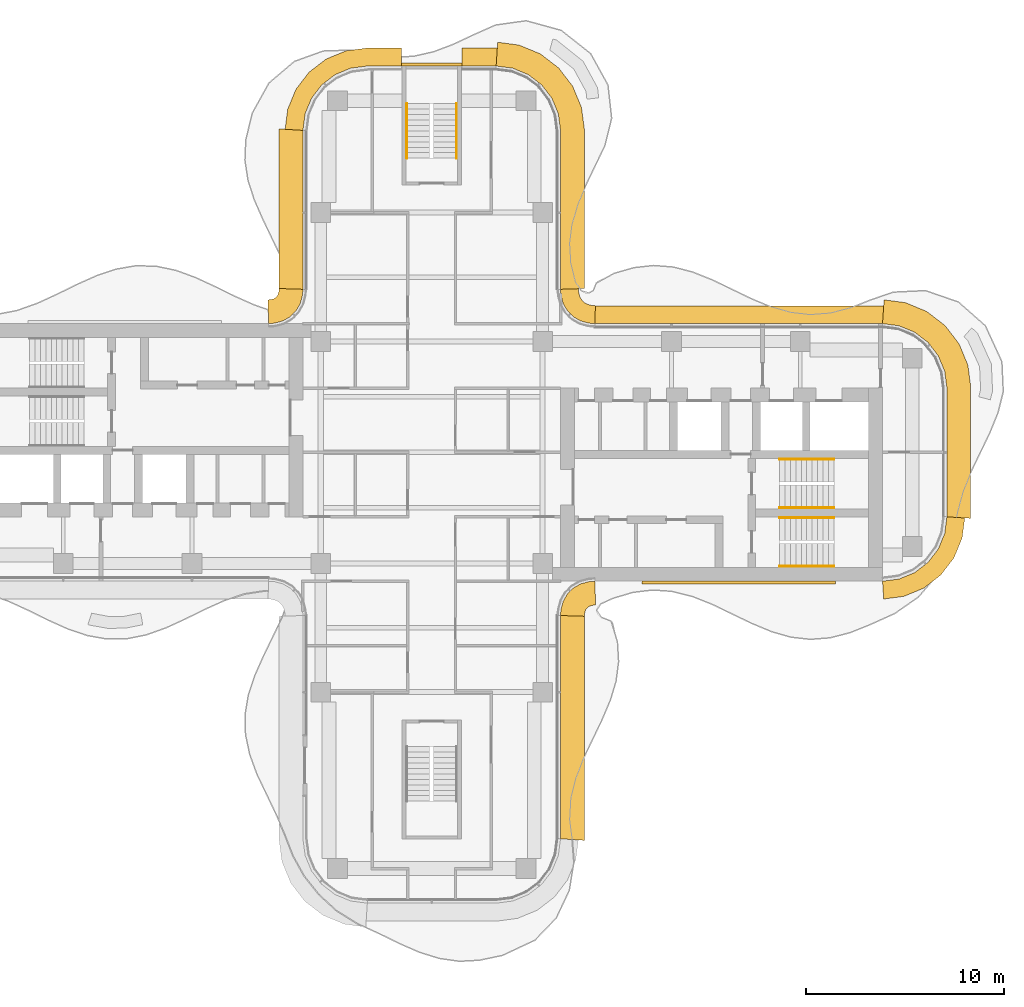
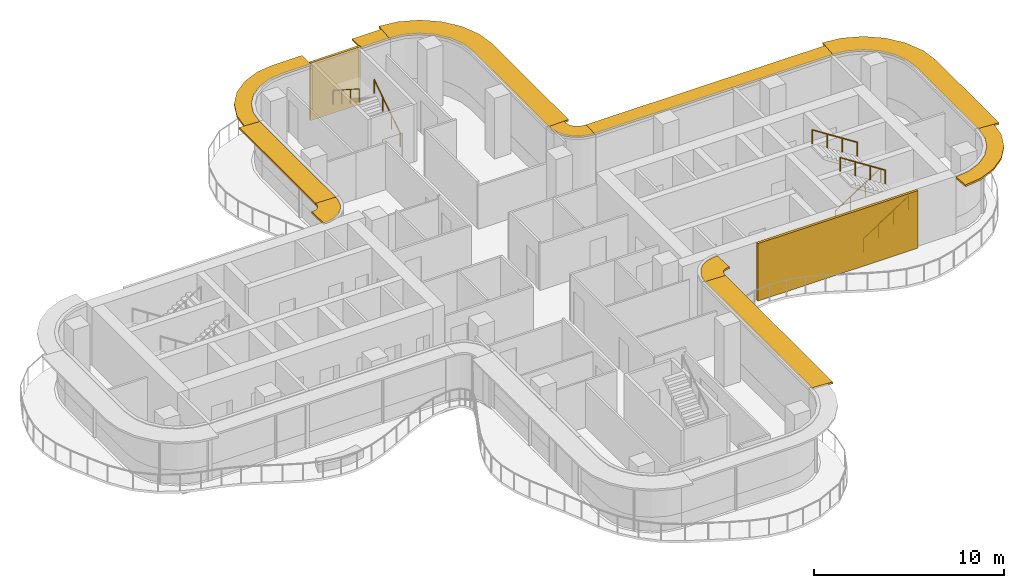
# One storey, part 16 of 16: 11 shading devices, 6 railings, 2 coverings.
"""IFC4 building model written with IfcOpenShell, lengths in metres."""

from ifc_helpers import new_model, si_unit, direction, frame, origin, origin_2d, place, context, subcontext, project, spatial, polyline, circle, outline, extrude, source, transform, mapped, material, layer, layer_set, type_object, element, save


model = new_model("IFC4")

# Units and contexts
model_context = context("Model", 3, precision=1e-05, world=origin(), true_north=direction((0.0, 1.0)))
body_context = subcontext(model_context, "Body", "Model", "MODEL_VIEW")
ifc_project = project(units=[si_unit("LENGTHUNIT", "METRE"), si_unit("AREAUNIT", "SQUARE_METRE"), si_unit("VOLUMEUNIT", "CUBIC_METRE"), si_unit("PLANEANGLEUNIT", "RADIAN"), si_unit("MASSUNIT", "GRAM", prefix="KILO")], contexts=[model_context])

# Site, building, storey
site_placement = place(None, origin())
site = spatial("IfcSite", under=ifc_project, at=site_placement, CompositionType="ELEMENT")
building_placement = place(site_placement, origin())
building = spatial("IfcBuilding", under=site, at=building_placement, Name="Trellis Farm Tower", CompositionType="ELEMENT")
storey_placement = place(building_placement, frame((0.0, 0.0, 310.60009765625)))
storey = spatial("IfcBuildingStorey", under=building, at=storey_placement, Name="L70", CompositionType="ELEMENT", Elevation=310.60009765625)

# Railings
ifc_material_1 = material(Name="Stainless steel", Category="steel")
railing_type = type_object("IfcRailingType", Name="STAIR HANDRAIL 900", PredefinedType="HANDRAIL", material=ifc_material_1)
shared_shape_1 = source(origin(), body_context, "Body", "SweptSolid", [
    extrude(circle(Radius=0.02392578125, at=origin_2d()), frame((0.0, 0.0, 0.8759765625), z_axis=(0.0, 0.840503830235, 0.541805602924), x_axis=(-1.0, 0.0, 0.0)), (0.0, 0.0, 1.0), 3.271728515625),
    extrude(circle(Radius=0.02099609375, at=origin_2d()), origin(), (0.0, 0.0, 1.0), 0.851806640625),
    extrude(circle(Radius=0.02099609375, at=origin_2d()), frame((0.0, 0.916748046875, 0.5908203125)), (0.0, 0.0, 1.0), 0.851806640625),
    extrude(circle(Radius=0.02099609375, at=origin_2d()), frame((0.0, 1.833251953125, 1.181884765625)), (0.0, 0.0, 1.0), 0.851806640625),
    extrude(circle(Radius=0.02099609375, at=origin_2d()), frame((0.0, 2.75, 1.772705078125)), (0.0, 0.0, 1.0), 0.851806640625),
])
railing_1_placement = place(storey_placement, frame((1.25, 14.85009765625, 0.17724609375)))
element("IfcRailing", 1, at=railing_1_placement, inside=storey, type_object=railing_type, Name="Stair handrail", PredefinedType="HANDRAIL", context=body_context, shape_type="MappedRepresentation", body=[
    mapped(shared_shape_1, transform((0.0, 0.0, 0.0))),
])
shared_shape_2 = source(origin(), body_context, "Body", "SweptSolid", [
    extrude(circle(Radius=0.02392578125, at=origin_2d()), frame((0.0, 0.0, 0.8759765625), z_axis=(0.0, -0.840503830235, 0.541805602924), x_axis=(1.0, 0.0, 0.0)), (0.0, 0.0, 1.0), 3.271728515625),
    extrude(circle(Radius=0.02099609375, at=origin_2d()), origin(), (0.0, 0.0, 1.0), 0.851806640625),
    extrude(circle(Radius=0.02099609375, at=origin_2d()), frame((0.0, -0.916748046875, 0.5908203125)), (0.0, 0.0, 1.0), 0.851806640625),
    extrude(circle(Radius=0.02099609375, at=origin_2d()), frame((0.0, -1.833251953125, 1.181884765625)), (0.0, 0.0, 1.0), 0.851806640625),
    extrude(circle(Radius=0.02099609375, at=origin_2d()), frame((0.0, -2.75, 1.772705078125)), (0.0, 0.0, 1.0), 0.851806640625),
])
railing_2_placement = place(storey_placement, frame((-1.25, 17.60009765625, 2.127197265625)))
element("IfcRailing", 2, at=railing_2_placement, inside=storey, type_object=railing_type, Name="Stair handrail", PredefinedType="HANDRAIL", context=body_context, shape_type="MappedRepresentation", body=[
    mapped(shared_shape_2, transform((0.0, 0.0, 0.0))),
])
shared_shape_3 = source(origin(), body_context, "Body", "SweptSolid", [
    extrude(circle(Radius=0.02392578125, at=origin_2d()), frame((0.0, 0.0, 0.8759765625), z_axis=(0.840503830235, 0.0, 0.541805602924), x_axis=(0.0, 1.0, 0.0)), (0.0, 0.0, 1.0), 3.271728515625),
    extrude(circle(Radius=0.02099609375, at=origin_2d()), origin(), (0.0, 0.0, 1.0), 0.851806640625),
    extrude(circle(Radius=0.02099609375, at=origin_2d()), frame((0.916748046875, 0.0, 0.5908203125)), (0.0, 0.0, 1.0), 0.851806640625),
    extrude(circle(Radius=0.02099609375, at=origin_2d()), frame((1.833251953125, 0.0, 1.181884765625)), (0.0, 0.0, 1.0), 0.851806640625),
    extrude(circle(Radius=0.02099609375, at=origin_2d()), frame((2.75, 0.0, 1.772705078125)), (0.0, 0.0, 1.0), 0.851806640625),
])
for number, where, name in (
    (3, (17.550048828125, -5.75, 0.17724609375), "Stair handrail"),
    (4, (17.550048828125, -2.800048828125, 0.17724609375), "Stair handrail"),
):
    element("IfcRailing", number, at=place(storey_placement, frame(where)), inside=storey, type_object=railing_type, Name=name, PredefinedType="HANDRAIL", context=body_context, shape_type="MappedRepresentation", body=[
        mapped(shared_shape_3, transform((0.0, 0.0, 0.0))),
    ])
shared_shape_4 = source(origin(), body_context, "Body", "SweptSolid", [
    extrude(circle(Radius=0.02392578125, at=origin_2d()), frame((0.0, 0.0, 0.8759765625), z_axis=(-0.840503830235, 0.0, 0.541805602924), x_axis=(0.0, -1.0, 0.0)), (0.0, 0.0, 1.0), 3.271728515625),
    extrude(circle(Radius=0.02099609375, at=origin_2d()), origin(), (0.0, 0.0, 1.0), 0.851806640625),
    extrude(circle(Radius=0.02099609375, at=origin_2d()), frame((-0.916748046875, 0.0, 0.5908203125)), (0.0, 0.0, 1.0), 0.851806640625),
    extrude(circle(Radius=0.02099609375, at=origin_2d()), frame((-1.833251953125, 0.0, 1.181884765625)), (0.0, 0.0, 1.0), 0.851806640625),
    extrude(circle(Radius=0.02099609375, at=origin_2d()), frame((-2.75, 0.0, 1.772705078125)), (0.0, 0.0, 1.0), 0.851806640625),
])
for number, where, name in (
    (5, (20.300048828125, -3.300048828125, 2.127197265625), "Stair handrail"),
    (6, (20.300048828125, -0.35009765625, 2.127197265625), "Stair handrail"),
):
    element("IfcRailing", number, at=place(storey_placement, frame(where)), inside=storey, type_object=railing_type, Name=name, PredefinedType="HANDRAIL", context=body_context, shape_type="MappedRepresentation", body=[
        mapped(shared_shape_4, transform((0.0, 0.0, 0.0))),
    ])

# Shading devices
ifc_material_2 = material(Name="Aluminium extrusion 6063-T6", Category="aluminium")
ifc_layer_1 = layer(ifc_material_2, 0.1201171875)
ifc_layer_set_1 = layer_set([ifc_layer_1], Name="SUNSHADE BLADE 1200")
shading_device_type_1 = type_object("IfcShadingDeviceType", Name="SUNSHADE BLADE 1200", PredefinedType="USERDEFINED", material=ifc_layer_set_1)
shared_shape_5 = source(origin(), body_context, "Body", "SweptSolid", [
    extrude(outline(polyline([(7.699951171875, -8.270751953125), (7.708740234375, -8.13720703125), (7.70703125, -8.150146484375), (7.7548828125, -7.9716796875), (7.80712890625, -7.881103515625), (7.881103515625, -7.80712890625), (7.9716796875, -7.7548828125), (8.150146484375, -7.70703125), (8.13720703125, -7.708740234375), (8.270751953125, -7.699951171875), (8.2314453125, -6.5), (8.01953125, -6.513916015625), (7.91552734375, -6.527587890625), (7.508544921875, -6.63671875), (7.144287109375, -6.846923828125), (6.846923828125, -7.144287109375), (6.63671875, -7.508544921875), (6.527587890625, -7.91552734375), (6.513916015625, -8.01953125), (6.5, -8.2314453125), (7.699951171875, -8.270751953125)])), origin(), (0.0, 0.0, 1.0), 0.1201171875),
])
placement_1 = place(storey_placement, frame((0.0, 0.0, 3.539794921875)))
element("IfcShadingDevice", 7, at=placement_1, inside=storey, type_object=shading_device_type_1, Name="SD2 006", ObjectType="SUNSHADE", PredefinedType="USERDEFINED", context=body_context, shape_type="MappedRepresentation", body=[
    mapped(shared_shape_5, transform((0.0, 0.0, 0.0))),
])
ifc_layer_2 = layer(ifc_material_2, 0.1201171875)
ifc_layer_set_2 = layer_set([ifc_layer_2], Name="SUNSHADE BLADE 900")
shading_device_type_2 = type_object("IfcShadingDeviceType", Name="SUNSHADE BLADE 900", PredefinedType="USERDEFINED", material=ifc_layer_set_2)
shared_shape_6 = source(origin(), body_context, "Body", "SweptSolid", [
    extrude(outline(polyline([(8.2607421875, 7.39990234375), (8.107666015625, 7.409912109375), (8.091552734375, 7.412109375), (7.85595703125, 7.475341796875), (7.697021484375, 7.567138671875), (7.567138671875, 7.697021484375), (7.475341796875, 7.85595703125), (7.412109375, 8.091552734375), (7.409912109375, 8.107666015625), (7.39990234375, 8.2607421875), (6.5, 8.2314453125), (6.513916015625, 8.01953125), (6.527587890625, 7.91552734375), (6.63671875, 7.508544921875), (6.846923828125, 7.144287109375), (7.144287109375, 6.846923828125), (7.508544921875, 6.63671875), (7.91552734375, 6.527587890625), (8.01953125, 6.513916015625), (8.2314453125, 6.5), (8.2607421875, 7.39990234375)])), origin(), (0.0, 0.0, 1.0), 0.1201171875),
])
element("IfcShadingDevice", 8, at=placement_1, inside=storey, type_object=shading_device_type_2, Name="SD1 010", ObjectType="SUNSHADE", PredefinedType="USERDEFINED", context=body_context, shape_type="MappedRepresentation", body=[
    mapped(shared_shape_6, transform((0.0, 0.0, 0.0))),
])
shared_shape_7 = source(origin(), body_context, "Body", "SweptSolid", [
    extrude(outline(polyline([(-7.699951171875, 8.270751953125), (-7.708740234375, 8.13720703125), (-7.70703125, 8.150146484375), (-7.7548828125, 7.9716796875), (-7.80712890625, 7.881103515625), (-7.881103515625, 7.80712890625), (-7.9716796875, 7.7548828125), (-8.150146484375, 7.70703125), (-8.13720703125, 7.708740234375), (-8.270751953125, 7.699951171875), (-8.2314453125, 6.5), (-8.01953125, 6.513916015625), (-7.91552734375, 6.527587890625), (-7.508544921875, 6.63671875), (-7.144287109375, 6.846923828125), (-6.846923828125, 7.144287109375), (-6.63671875, 7.508544921875), (-6.527587890625, 7.91552734375), (-6.513916015625, 8.01953125), (-6.5, 8.2314453125), (-7.699951171875, 8.270751953125)])), origin(), (0.0, 0.0, 1.0), 0.1201171875),
])
element("IfcShadingDevice", 9, at=placement_1, inside=storey, type_object=shading_device_type_1, Name="SD2 015", ObjectType="SUNSHADE", PredefinedType="USERDEFINED", context=body_context, shape_type="MappedRepresentation", body=[
    mapped(shared_shape_7, transform((0.0, 0.0, 0.0))),
])
shared_shape_8 = source(origin(), body_context, "Body", "SweptSolid", [
    extrude(outline(polyline([(22.80908203125, -7.39990234375), (23.826171875, -7.26611328125), (24.828857421875, -6.850830078125), (25.68994140625, -6.18994140625), (26.350830078125, -5.328857421875), (26.76611328125, -4.326171875), (26.89990234375, -3.30908203125), (26.0, -3.25), (25.88916015625, -4.091064453125), (25.564697265625, -4.875), (25.048095703125, -5.548095703125), (24.375, -6.064697265625), (23.591064453125, -6.38916015625), (22.75, -6.5), (22.80908203125, -7.39990234375)])), origin(), (0.0, 0.0, 1.0), 0.1201171875),
])
element("IfcShadingDevice", 10, at=placement_1, inside=storey, type_object=shading_device_type_2, Name="SD1 007", ObjectType="SUNSHADE", PredefinedType="USERDEFINED", context=body_context, shape_type="MappedRepresentation", body=[
    mapped(shared_shape_8, transform((0.0, 0.0, 0.0))),
])
shared_shape_9 = source(origin(), body_context, "Body", "SweptSolid", [
    extrude(outline(polyline([(27.199951171875, -3.32861328125), (27.199951171875, 3.32861328125), (27.058349609375, 4.404541015625), (26.61279296875, 5.480224609375), (25.904052734375, 6.404052734375), (24.980224609375, 7.11279296875), (23.904541015625, 7.558349609375), (22.82861328125, 7.699951171875), (22.75, 6.5), (23.591064453125, 6.38916015625), (24.375, 6.064697265625), (25.048095703125, 5.548095703125), (25.564697265625, 4.875), (25.88916015625, 4.091064453125), (26.0, 3.25), (26.0, -3.25), (27.199951171875, -3.32861328125)])), origin(), (0.0, 0.0, 1.0), 0.1201171875),
])
element("IfcShadingDevice", 11, at=placement_1, inside=storey, type_object=shading_device_type_1, Name="SD2 008", ObjectType="SUNSHADE", PredefinedType="USERDEFINED", context=body_context, shape_type="MappedRepresentation", body=[
    mapped(shared_shape_9, transform((0.0, 0.0, 0.0))),
])
shared_shape_10 = source(origin(), body_context, "Body", "SweptSolid", [
    extrude(outline(polyline([(22.80908203125, 7.39990234375), (8.2607421875, 7.39990234375), (8.2314453125, 6.5), (22.75, 6.5), (22.80908203125, 7.39990234375)])), origin(), (0.0, 0.0, 1.0), 0.1201171875),
])
element("IfcShadingDevice", 12, at=placement_1, inside=storey, type_object=shading_device_type_2, Name="SD1 009", ObjectType="SUNSHADE", PredefinedType="USERDEFINED", context=body_context, shape_type="MappedRepresentation", body=[
    mapped(shared_shape_10, transform((0.0, 0.0, 0.0))),
])

# Covering
ifc_material_3 = material(Name="Perforated precast screen (cobogo)", Category="concrete")
ifc_layer_3 = layer(ifc_material_3, 0.14990234375)
ifc_layer_set_3 = layer_set([ifc_layer_3], Name="COBOGO SCREEN PANEL")
covering_type = type_object("IfcCoveringType", Name="COBOGO SCREEN PANEL", PredefinedType="USERDEFINED", material=ifc_layer_set_3)
shared_shape_11 = source(origin(), body_context, "Body", "SweptSolid", [
    extrude(outline(polyline([(10.61572265625, -6.64990234375), (20.36572265625, -6.64990234375), (20.36572265625, -6.5), (10.61572265625, -6.5), (10.61572265625, -6.64990234375)])), origin(), (0.0, 0.0, 1.0), 3.699951171875),
])
placement_2 = place(storey_placement, origin())
element("IfcCovering", 13, at=placement_2, inside=storey, type_object=covering_type, Name="SC1 01", ObjectType="SCREEN", PredefinedType="USERDEFINED", context=body_context, shape_type="MappedRepresentation", body=[
    mapped(shared_shape_11, transform((0.0, 0.0, 0.0))),
])

# Shading device
shared_shape_12 = source(origin(), body_context, "Body", "SweptSolid", [
    extrude(outline(polyline([(7.699951171875, -19.57861328125), (7.699951171875, -8.270751953125), (6.5, -8.2314453125), (6.5, -19.5), (7.699951171875, -19.57861328125)])), origin(), (0.0, 0.0, 1.0), 0.1201171875),
])
element("IfcShadingDevice", 14, at=placement_1, inside=storey, type_object=shading_device_type_1, Name="SD2 005", ObjectType="SUNSHADE", PredefinedType="USERDEFINED", context=body_context, shape_type="MappedRepresentation", body=[
    mapped(shared_shape_12, transform((0.0, 0.0, 0.0))),
])

# Covering
shared_shape_13 = source(origin(), body_context, "Body", "SweptSolid", [
    extrude(outline(polyline([(1.530029296875, 19.64990234375), (-1.530029296875, 19.64990234375), (-1.530029296875, 19.5), (1.530029296875, 19.5), (1.530029296875, 19.64990234375)])), origin(), (0.0, 0.0, 1.0), 3.699951171875),
])
element("IfcCovering", 15, at=placement_2, inside=storey, type_object=covering_type, Name="SC1 02", ObjectType="SCREEN", PredefinedType="USERDEFINED", context=body_context, shape_type="MappedRepresentation", body=[
    mapped(shared_shape_13, transform((0.0, 0.0, 0.0))),
])

# Shading devices
shared_shape_14 = source(origin(), body_context, "Body", "SweptSolid", [
    extrude(outline(polyline([(7.699951171875, 8.270751953125), (7.699951171875, 16.32861328125), (7.558349609375, 17.404541015625), (7.11279296875, 18.480224609375), (6.404052734375, 19.404052734375), (5.480224609375, 20.11279296875), (4.404541015625, 20.558349609375), (3.32861328125, 20.699951171875), (3.25, 19.5), (4.091064453125, 19.38916015625), (4.875, 19.064697265625), (5.548095703125, 18.548095703125), (6.064697265625, 17.875), (6.38916015625, 17.091064453125), (6.5, 16.25), (6.5, 8.2314453125), (7.699951171875, 8.270751953125)])), origin(), (0.0, 0.0, 1.0), 0.1201171875),
])
element("IfcShadingDevice", 16, at=placement_1, inside=storey, type_object=shading_device_type_1, Name="SD2 011", ObjectType="SUNSHADE", PredefinedType="USERDEFINED", context=body_context, shape_type="MappedRepresentation", body=[
    mapped(shared_shape_14, transform((0.0, 0.0, 0.0))),
])
shared_shape_15 = source(origin(), body_context, "Body", "SweptSolid", [
    extrude(outline(polyline([(3.30908203125, 20.39990234375), (1.530029296875, 20.39990234375), (1.530029296875, 19.5), (3.25, 19.5), (3.30908203125, 20.39990234375)])), origin(), (0.0, 0.0, 1.0), 0.1201171875),
])
element("IfcShadingDevice", 17, at=placement_1, inside=storey, type_object=shading_device_type_2, Name="SD1 012", ObjectType="SUNSHADE", PredefinedType="USERDEFINED", context=body_context, shape_type="MappedRepresentation", body=[
    mapped(shared_shape_15, transform((0.0, 0.0, 0.0))),
])
shared_shape_16 = source(origin(), body_context, "Body", "SweptSolid", [
    extrude(outline(polyline([(-1.530029296875, 20.39990234375), (-3.30908203125, 20.39990234375), (-4.326171875, 20.26611328125), (-5.328857421875, 19.850830078125), (-6.18994140625, 19.18994140625), (-6.850830078125, 18.328857421875), (-7.26611328125, 17.326171875), (-7.39990234375, 16.30908203125), (-6.5, 16.25), (-6.38916015625, 17.091064453125), (-6.064697265625, 17.875), (-5.548095703125, 18.548095703125), (-4.875, 19.064697265625), (-4.091064453125, 19.38916015625), (-3.25, 19.5), (-1.530029296875, 19.5), (-1.530029296875, 20.39990234375)])), origin(), (0.0, 0.0, 1.0), 0.1201171875),
])
element("IfcShadingDevice", 18, at=placement_1, inside=storey, type_object=shading_device_type_2, Name="SD1 013", ObjectType="SUNSHADE", PredefinedType="USERDEFINED", context=body_context, shape_type="MappedRepresentation", body=[
    mapped(shared_shape_16, transform((0.0, 0.0, 0.0))),
])
shared_shape_17 = source(origin(), body_context, "Body", "SweptSolid", [
    extrude(outline(polyline([(-7.699951171875, 16.32861328125), (-7.699951171875, 8.270751953125), (-6.5, 8.2314453125), (-6.5, 16.25), (-7.699951171875, 16.32861328125)])), origin(), (0.0, 0.0, 1.0), 0.1201171875),
])
element("IfcShadingDevice", 19, at=placement_1, inside=storey, type_object=shading_device_type_1, Name="SD2 014", ObjectType="SUNSHADE", PredefinedType="USERDEFINED", context=body_context, shape_type="MappedRepresentation", body=[
    mapped(shared_shape_17, transform((0.0, 0.0, 0.0))),
])

save(model, "model.ifc")
